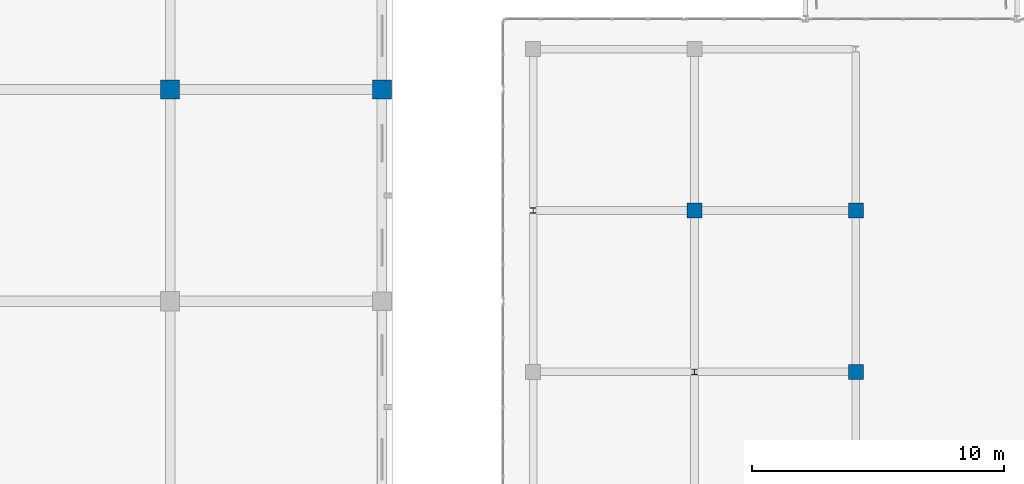
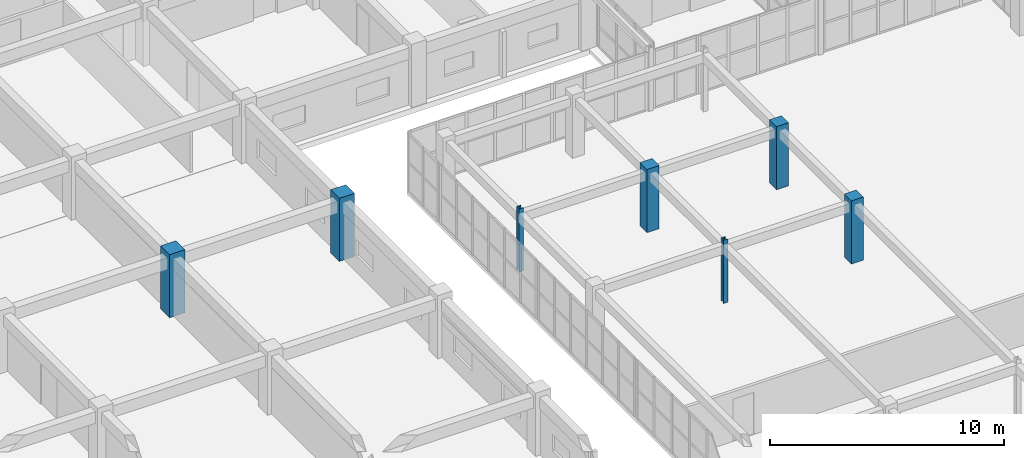
# One storey, part 16 of 200: 7 columns.
"""IFC4 building model written with IfcOpenShell, lengths in metres."""

from ifc_helpers import new_model, si_unit, direction, frame, origin, origin_2d, place, context, subcontext, project, spatial, rectangle, i_section, extrude, material, material_profile, profile_set, type_object, element, save


model = new_model("IFC4")

# Units and contexts
model_context = context("Model", 3, precision=1e-05, world=origin(), true_north=direction((0.0, 1.0)))
body_context = subcontext(model_context, "Body", "Model", "MODEL_VIEW")
ifc_project = project(units=[si_unit("LENGTHUNIT", "METRE"), si_unit("AREAUNIT", "SQUARE_METRE"), si_unit("VOLUMEUNIT", "CUBIC_METRE"), si_unit("PLANEANGLEUNIT", "RADIAN"), si_unit("MASSUNIT", "GRAM", prefix="KILO")], contexts=[model_context])

# Site, building, storey
site_placement = place(None, origin())
site = spatial("IfcSite", under=ifc_project, at=site_placement, CompositionType="ELEMENT")
building_placement = place(site_placement, origin())
building = spatial("IfcBuilding", under=site, at=building_placement, Name="Trelvath General Hospital", CompositionType="ELEMENT")
storey_placement = place(building_placement, frame((0.0, 0.0, 4.800048828125)))
storey = spatial("IfcBuildingStorey", under=building, at=storey_placement, Name="L01", CompositionType="ELEMENT", Elevation=4.800048828125)

# Columns
ifc_material_1 = material(Name="Concrete C40/50", Category="concrete")
ifc_material_profile_1 = material_profile(ifc_material_1, rectangle(XDim=0.60009765625, YDim=0.60009765625, at=origin_2d()), Name="RC600x600")
ifc_profile_set_1 = profile_set([ifc_material_profile_1], Name="Concrete C40/50")
column_type_1 = type_object("IfcColumnType", Name="Column RC600", PredefinedType="COLUMN", material=ifc_profile_set_1)
for number, where, z_axis, x_axis, name in (
    (1, (54.39990234375, 79.199951171875, 0.0), (0.0, 0.0, 1.0), (1.0, 0.0, 0.0), "Cube Interior Column CC-W34 L01"),
    (2, (60.800048828125, 72.800048828125, 0.0), (0.0, 0.0, 1.0), (1.0, 0.0, 0.0), "Cube Interior Column CC-W40 L01"),
    (3, (60.800048828125, 79.199951171875, 0.0), (0.0, 0.0, 1.0), (1.0, 0.0, 0.0), "Cube Interior Column CC-W41 L01"),
):
    element("IfcColumn", number, at=place(storey_placement, frame(where, z_axis=z_axis, x_axis=x_axis)), inside=storey, type_object=column_type_1, Name=name, PredefinedType="COLUMN", context=body_context, shape_type="SweptSolid", body=[
        extrude(rectangle(XDim=0.60009765625, YDim=0.60009765625, at=origin_2d()), origin(), (0.0, 0.0, 1.0), 3.300048828125),
    ])
ifc_material_2 = material(Name="Concrete C40/50", Category="concrete")
ifc_material_profile_2 = material_profile(ifc_material_2, rectangle(XDim=0.75, YDim=0.75, at=origin_2d()), Name="RC750x750")
ifc_profile_set_2 = profile_set([ifc_material_profile_2], Name="Concrete C40/50")
column_type_2 = type_object("IfcColumnType", Name="Column RC750", PredefinedType="COLUMN", material=ifc_profile_set_2)
column_1_placement = place(storey_placement, frame((42.0, 84.0, 0.0), z_axis=(0.0, 0.0, 1.0), x_axis=(1.0, 0.0, 0.0)))
element("IfcColumn", 4, at=column_1_placement, inside=storey, type_object=column_type_2, Name="Column C-6K L01", PredefinedType="COLUMN", context=body_context, shape_type="SweptSolid", body=[
    extrude(rectangle(XDim=0.75, YDim=0.75, at=origin_2d()), origin(), (0.0, 0.0, 1.0), 3.300048828125),
])
ifc_material_3 = material(Name="Concrete C40/50", Category="concrete")
ifc_material_profile_3 = material_profile(ifc_material_3, rectangle(XDim=0.760009765625, YDim=0.760009765625, at=origin_2d()), Name="RC760x760")
ifc_profile_set_3 = profile_set([ifc_material_profile_3], Name="Concrete C40/50")
column_type_3 = type_object("IfcColumnType", Name="Column RC760", PredefinedType="COLUMN", material=ifc_profile_set_3)
column_2_placement = place(storey_placement, frame((33.60009765625, 84.0, 0.0), z_axis=(0.0, 0.0, 1.0), x_axis=(1.0, 0.0, 0.0)))
element("IfcColumn", 5, at=column_2_placement, inside=storey, type_object=column_type_3, Name="Column C-5K L01", PredefinedType="COLUMN", context=body_context, shape_type="SweptSolid", body=[
    extrude(rectangle(XDim=0.760009765625, YDim=0.760009765625, at=origin_2d()), origin(), (0.0, 0.0, 1.0), 3.300048828125),
])
ifc_material_4 = material(Name="Steel S355", Category="steel")
ifc_material_profile_4 = material_profile(ifc_material_4, i_section(OverallWidth=0.219970703125, OverallDepth=0.219970703125, WebThickness=0.009521484375, FlangeThickness=0.01611328125, at=origin_2d()), Name="HEB220")
ifc_profile_set_4 = profile_set([ifc_material_profile_4], Name="Steel S355")
column_type_4 = type_object("IfcColumnType", Name="CubePost HEB220", PredefinedType="COLUMN", material=ifc_profile_set_4)
for number, where, z_axis, x_axis, name in (
    (6, (48.0, 79.199951171875, 0.0), (0.0, 0.0, 1.0), (1.0, 0.0, 0.0), "Cube Interior Column CC-W27 L01"),
    (7, (54.39990234375, 72.800048828125, 0.0), (0.0, 0.0, 1.0), (1.0, 0.0, 0.0), "Cube Interior Column CC-W33 L01"),
):
    element("IfcColumn", number, at=place(storey_placement, frame(where, z_axis=z_axis, x_axis=x_axis)), inside=storey, type_object=column_type_4, Name=name, PredefinedType="COLUMN", context=body_context, shape_type="SweptSolid", body=[
        extrude(i_section(OverallWidth=0.219970703125, OverallDepth=0.219970703125, WebThickness=0.009521484375, FlangeThickness=0.01611328125, at=origin_2d()), origin(), (0.0, 0.0, 1.0), 3.300048828125),
    ])

save(model, "model.ifc")
